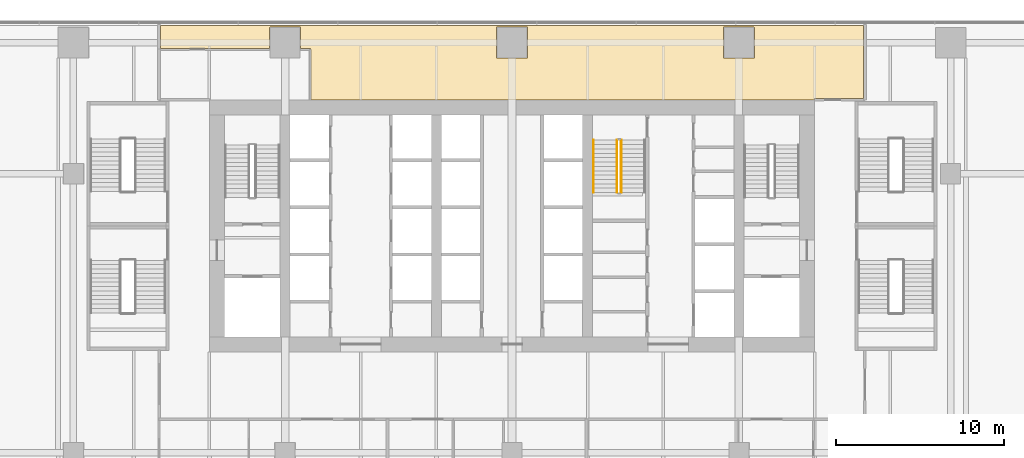
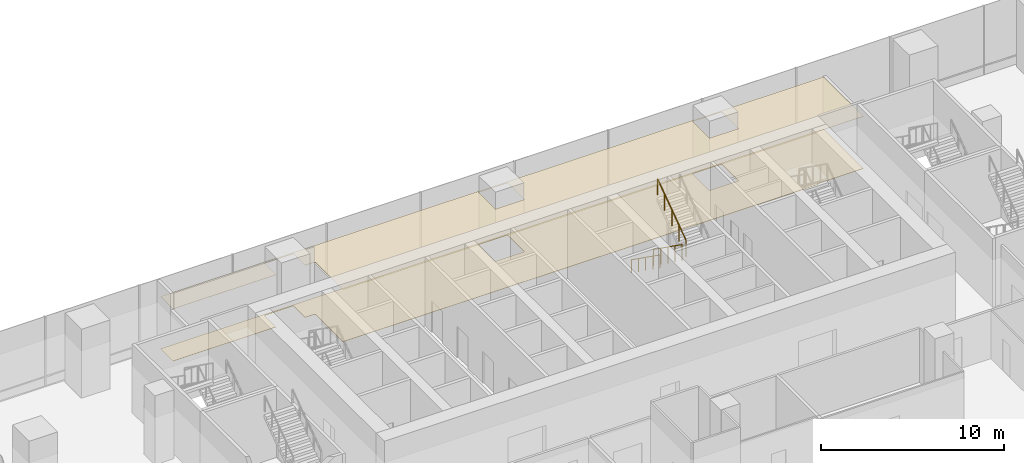
# One storey, part 27 of 28: 3 railings, 2 coverings.
"""IFC4 building model written with IfcOpenShell, lengths in metres."""

from ifc_helpers import new_model, si_unit, direction, frame, origin, origin_2d, place, context, subcontext, project, spatial, polyline, rectangle, outline, extrude, material, layer, layer_set, type_object, element, save


model = new_model("IFC4")

# Units and contexts
model_context = context("Model", 3, precision=1e-05, world=origin(), true_north=direction((0.0, 1.0)))
body_context = subcontext(model_context, "Body", "Model", "MODEL_VIEW")
ifc_project = project(units=[si_unit("LENGTHUNIT", "METRE"), si_unit("AREAUNIT", "SQUARE_METRE"), si_unit("VOLUMEUNIT", "CUBIC_METRE"), si_unit("PLANEANGLEUNIT", "RADIAN"), si_unit("MASSUNIT", "GRAM", prefix="KILO")], contexts=[model_context])

# Site, building, storey
site_placement = place(None, origin())
site = spatial("IfcSite", under=ifc_project, at=site_placement, CompositionType="ELEMENT")
building_placement = place(site_placement, origin())
building = spatial("IfcBuilding", under=site, at=building_placement, Name="Rattan Terrace Tower", CompositionType="ELEMENT")
storey_placement = place(building_placement, frame((0.0, 0.0, 22.199951171875)))
storey = spatial("IfcBuildingStorey", under=building, at=storey_placement, Name="L04", CompositionType="ELEMENT", Elevation=22.199951171875)

# Railings
ifc_material_1 = material(Name="Powder-coated steel guard", Category="steel")
railing_type_1 = type_object("IfcRailingType", Name="Core stair guard", PredefinedType="GUARDRAIL", material=ifc_material_1)
railing_1_placement = place(storey_placement, frame((6.25, 5.10009765625, 0.1845703125)))
element("IfcRailing", 1, at=railing_1_placement, inside=storey, type_object=railing_type_1, Name="L04 S3 stair guard 1", PredefinedType="GUARDRAIL", context=body_context, shape_type="SweptSolid", body=[
    extrude(rectangle(XDim=0.048095703125, YDim=0.048095703125, at=origin_2d()), frame((0.0, 0.0, 1.076171875), z_axis=(0.0, -0.815346844174, 0.578972817752), x_axis=(1.0, 0.0, 0.0)), (0.0, 0.0, 1.0), 3.82666015625),
    extrude(rectangle(XDim=0.0419921875, YDim=0.0419921875, at=origin_2d()), origin(), (0.0, 0.0, 1.0), 1.052001953125),
    extrude(rectangle(XDim=0.0419921875, YDim=0.0419921875, at=origin_2d()), frame((0.0, -0.780029296875, 0.553955078125)), (0.0, 0.0, 1.0), 1.052001953125),
    extrude(rectangle(XDim=0.0419921875, YDim=0.0419921875, at=origin_2d()), frame((0.0, -1.56005859375, 1.10791015625)), (0.0, 0.0, 1.0), 1.052001953125),
    extrude(rectangle(XDim=0.0419921875, YDim=0.0419921875, at=origin_2d()), frame((0.0, -2.340087890625, 1.66162109375)), (0.0, 0.0, 1.0), 1.052001953125),
    extrude(rectangle(XDim=0.0419921875, YDim=0.0419921875, at=origin_2d()), frame((0.0, -3.1201171875, 2.215576171875)), (0.0, 0.0, 1.0), 1.052001953125),
])
railing_2_placement = place(storey_placement, frame((6.5, 1.97998046875, 2.584716796875)))
element("IfcRailing", 2, at=railing_2_placement, inside=storey, type_object=railing_type_1, Name="L04 S3 stair guard 3", PredefinedType="GUARDRAIL", context=body_context, shape_type="SweptSolid", body=[
    extrude(rectangle(XDim=0.048095703125, YDim=0.048095703125, at=origin_2d()), frame((0.0, 0.0, 1.076171875), z_axis=(0.0, 0.815376961211, 0.578930402662), x_axis=(-1.0, 0.0, 0.0)), (0.0, 0.0, 1.0), 3.82666015625),
    extrude(rectangle(XDim=0.0419921875, YDim=0.0419921875, at=origin_2d()), origin(), (0.0, 0.0, 1.0), 1.052001953125),
    extrude(rectangle(XDim=0.0419921875, YDim=0.0419921875, at=origin_2d()), frame((0.0, 0.780029296875, 0.5537109375)), (0.0, 0.0, 1.0), 1.052001953125),
    extrude(rectangle(XDim=0.0419921875, YDim=0.0419921875, at=origin_2d()), frame((0.0, 1.56005859375, 1.107666015625)), (0.0, 0.0, 1.0), 1.052001953125),
    extrude(rectangle(XDim=0.0419921875, YDim=0.0419921875, at=origin_2d()), frame((0.0, 2.340087890625, 1.66162109375)), (0.0, 0.0, 1.0), 1.052001953125),
    extrude(rectangle(XDim=0.0419921875, YDim=0.0419921875, at=origin_2d()), frame((0.0, 3.1201171875, 2.21533203125)), (0.0, 0.0, 1.0), 1.052001953125),
])
ifc_material_2 = material(Name="Powder-coated steel handrail", Category="steel")
railing_type_2 = type_object("IfcRailingType", Name="Core stair handrail", PredefinedType="HANDRAIL", material=ifc_material_2)
railing_3_placement = place(storey_placement, frame((4.85009765625, 5.10009765625, 0.1845703125)))
element("IfcRailing", 3, at=railing_3_placement, inside=storey, type_object=railing_type_2, Name="L04 S3 stair handrail 1", PredefinedType="HANDRAIL", context=body_context, shape_type="SweptSolid", body=[
    extrude(rectangle(XDim=0.048095703125, YDim=0.048095703125, at=origin_2d()), frame((0.0, 0.0, 0.8759765625), z_axis=(0.0, -0.815346844174, 0.578972817752), x_axis=(1.0, 0.0, 0.0)), (0.0, 0.0, 1.0), 3.82666015625),
    extrude(rectangle(XDim=0.0419921875, YDim=0.0419921875, at=origin_2d()), origin(), (0.0, 0.0, 1.0), 0.851806640625),
    extrude(rectangle(XDim=0.0419921875, YDim=0.0419921875, at=origin_2d()), frame((0.0, -0.780029296875, 0.553955078125)), (0.0, 0.0, 1.0), 0.851806640625),
    extrude(rectangle(XDim=0.0419921875, YDim=0.0419921875, at=origin_2d()), frame((0.0, -1.56005859375, 1.10791015625)), (0.0, 0.0, 1.0), 0.851806640625),
    extrude(rectangle(XDim=0.0419921875, YDim=0.0419921875, at=origin_2d()), frame((0.0, -2.340087890625, 1.66162109375)), (0.0, 0.0, 1.0), 0.851806640625),
    extrude(rectangle(XDim=0.0419921875, YDim=0.0419921875, at=origin_2d()), frame((0.0, -3.1201171875, 2.215576171875)), (0.0, 0.0, 1.0), 0.851806640625),
])

# Coverings
ifc_material_3 = material(Name="Polished limestone", Category="masonry")
ifc_layer_1 = layer(ifc_material_3, 0.02001953125)
ifc_layer_set_1 = layer_set([ifc_layer_1], Name="Lobby Floor Finish Stone 20")
covering_type_1 = type_object("IfcCoveringType", Name="Lobby Floor Finish Stone 20", PredefinedType="FLOORING", material=ifc_layer_set_1)
covering_1_placement = place(storey_placement, origin())
element("IfcCovering", 4, at=covering_1_placement, inside=storey, type_object=covering_type_1, Name="Floor finish L04-127", PredefinedType="FLOORING", context=body_context, shape_type="SweptSolid", body=[
    extrude(outline(polyline([(20.909912109375, 7.574951171875), (20.909912109375, 11.909912109375), (-20.909912109375, 11.909912109375), (-20.909912109375, 10.550048828125), (-14.419921875, 10.550048828125), (-14.419921875, 11.800048828125), (-14.419921875, 11.802001953125), (-14.419921875, 11.803955078125), (-14.4189453125, 11.805908203125), (-14.4189453125, 11.80810546875), (-14.41796875, 11.81005859375), (-14.4169921875, 11.81103515625), (-14.416015625, 11.81298828125), (-14.4140625, 11.81396484375), (-14.4130859375, 11.81591796875), (-14.410888671875, 11.81689453125), (-14.409912109375, 11.818115234375), (-14.407958984375, 11.819091796875), (-14.406005859375, 11.819091796875), (-14.404052734375, 11.820068359375), (-14.402099609375, 11.820068359375), (-14.39990234375, 11.820068359375), (-12.60009765625, 11.820068359375), (-12.597900390625, 11.820068359375), (-12.595947265625, 11.820068359375), (-12.593994140625, 11.819091796875), (-12.592041015625, 11.819091796875), (-12.590087890625, 11.818115234375), (-12.589111328125, 11.81689453125), (-12.5869140625, 11.81591796875), (-12.5859375, 11.81396484375), (-12.583984375, 11.81298828125), (-12.5830078125, 11.81103515625), (-12.58203125, 11.81005859375), (-12.5810546875, 11.80810546875), (-12.5810546875, 11.805908203125), (-12.580078125, 11.803955078125), (-12.580078125, 11.802001953125), (-12.580078125, 11.800048828125), (-12.580078125, 10.550048828125), (-12.0, 10.550048828125), (-12.0, 10.5), (-11.949951171875, 10.5), (-11.949951171875, 7.5), (18.0, 7.5), (18.0, 7.574951171875), (20.909912109375, 7.574951171875)]), holes=[polyline([(12.5869140625, 9.98388671875), (12.589111328125, 9.98291015625), (12.590087890625, 9.98193359375), (12.592041015625, 9.98095703125), (12.593994140625, 9.98095703125), (12.595947265625, 9.97998046875), (12.597900390625, 9.97998046875), (12.60009765625, 9.97998046875), (14.39990234375, 9.97998046875), (14.402099609375, 9.97998046875), (14.404052734375, 9.97998046875), (14.406005859375, 9.98095703125), (14.407958984375, 9.98095703125), (14.409912109375, 9.98193359375), (14.410888671875, 9.98291015625), (14.4130859375, 9.98388671875), (14.4140625, 9.986083984375), (14.416015625, 9.987060546875), (14.4169921875, 9.989013671875), (14.41796875, 9.989990234375), (14.4189453125, 9.991943359375), (14.4189453125, 9.993896484375), (14.419921875, 9.99609375), (14.419921875, 9.998046875), (14.419921875, 10.0), (14.419921875, 11.800048828125), (14.419921875, 11.802001953125), (14.419921875, 11.803955078125), (14.4189453125, 11.805908203125), (14.4189453125, 11.80810546875), (14.41796875, 11.81005859375), (14.4169921875, 11.81103515625), (14.416015625, 11.81298828125), (14.4140625, 11.81396484375), (14.4130859375, 11.81591796875), (14.410888671875, 11.81689453125), (14.409912109375, 11.818115234375), (14.407958984375, 11.819091796875), (14.406005859375, 11.819091796875), (14.404052734375, 11.820068359375), (14.402099609375, 11.820068359375), (14.39990234375, 11.820068359375), (12.60009765625, 11.820068359375), (12.597900390625, 11.820068359375), (12.595947265625, 11.820068359375), (12.593994140625, 11.819091796875), (12.592041015625, 11.819091796875), (12.590087890625, 11.818115234375), (12.589111328125, 11.81689453125), (12.5869140625, 11.81591796875), (12.5859375, 11.81396484375), (12.583984375, 11.81298828125), (12.5830078125, 11.81103515625), (12.58203125, 11.81005859375), (12.5810546875, 11.80810546875), (12.5810546875, 11.805908203125), (12.580078125, 11.803955078125), (12.580078125, 11.802001953125), (12.580078125, 11.800048828125), (12.580078125, 10.0), (12.580078125, 9.998046875), (12.580078125, 9.99609375), (12.5810546875, 9.993896484375), (12.5810546875, 9.991943359375), (12.58203125, 9.989990234375), (12.5830078125, 9.989013671875), (12.583984375, 9.987060546875), (12.5859375, 9.986083984375), (12.5869140625, 9.98388671875)]), polyline([(-0.919921875, 9.99609375), (-0.9189453125, 9.993896484375), (-0.9189453125, 9.991943359375), (-0.91796875, 9.989990234375), (-0.9169921875, 9.989013671875), (-0.916015625, 9.987060546875), (-0.9140625, 9.986083984375), (-0.9130859375, 9.98388671875), (-0.910888671875, 9.98291015625), (-0.909912109375, 9.98193359375), (-0.907958984375, 9.98095703125), (-0.906005859375, 9.98095703125), (-0.904052734375, 9.97998046875), (-0.902099609375, 9.97998046875), (-0.89990234375, 9.97998046875), (0.89990234375, 9.97998046875), (0.902099609375, 9.97998046875), (0.904052734375, 9.97998046875), (0.906005859375, 9.98095703125), (0.907958984375, 9.98095703125), (0.909912109375, 9.98193359375), (0.910888671875, 9.98291015625), (0.9130859375, 9.98388671875), (0.9140625, 9.986083984375), (0.916015625, 9.987060546875), (0.9169921875, 9.989013671875), (0.91796875, 9.989990234375), (0.9189453125, 9.991943359375), (0.9189453125, 9.993896484375), (0.919921875, 9.99609375), (0.919921875, 9.998046875), (0.919921875, 10.0), (0.919921875, 11.800048828125), (0.919921875, 11.802001953125), (0.919921875, 11.803955078125), (0.9189453125, 11.805908203125), (0.9189453125, 11.80810546875), (0.91796875, 11.81005859375), (0.9169921875, 11.81103515625), (0.916015625, 11.81298828125), (0.9140625, 11.81396484375), (0.9130859375, 11.81591796875), (0.910888671875, 11.81689453125), (0.909912109375, 11.818115234375), (0.907958984375, 11.819091796875), (0.906005859375, 11.819091796875), (0.904052734375, 11.820068359375), (0.902099609375, 11.820068359375), (0.89990234375, 11.820068359375), (-0.89990234375, 11.820068359375), (-0.902099609375, 11.820068359375), (-0.904052734375, 11.820068359375), (-0.906005859375, 11.819091796875), (-0.907958984375, 11.819091796875), (-0.909912109375, 11.818115234375), (-0.910888671875, 11.81689453125), (-0.9130859375, 11.81591796875), (-0.9140625, 11.81396484375), (-0.916015625, 11.81298828125), (-0.9169921875, 11.81103515625), (-0.91796875, 11.81005859375), (-0.9189453125, 11.80810546875), (-0.9189453125, 11.805908203125), (-0.919921875, 11.803955078125), (-0.919921875, 11.802001953125), (-0.919921875, 11.800048828125), (-0.919921875, 10.0), (-0.919921875, 9.998046875), (-0.919921875, 9.99609375)])]), origin(), (0.0, 0.0, 1.0), 0.02001953125),
])
ifc_material_4 = material(Name="Gypsum board, painted")
ifc_layer_2 = layer(ifc_material_4, 0.02490234375)
ifc_layer_set_2 = layer_set([ifc_layer_2], Name="Suspended Ceiling Gypsum 25")
covering_type_2 = type_object("IfcCoveringType", Name="Suspended Ceiling Gypsum 25", PredefinedType="CEILING", material=ifc_layer_set_2)
covering_2_placement = place(storey_placement, frame((0.0, 0.0, 3.47509765625)))
element("IfcCovering", 5, at=covering_2_placement, inside=storey, type_object=covering_type_2, Name="Ceiling L04-127", PredefinedType="CEILING", context=body_context, shape_type="SweptSolid", body=[
    extrude(outline(polyline([(20.909912109375, 7.574951171875), (20.909912109375, 11.909912109375), (-20.909912109375, 11.909912109375), (-20.909912109375, 10.550048828125), (-14.419921875, 10.550048828125), (-14.419921875, 11.800048828125), (-14.419921875, 11.802001953125), (-14.419921875, 11.803955078125), (-14.4189453125, 11.805908203125), (-14.4189453125, 11.80810546875), (-14.41796875, 11.81005859375), (-14.4169921875, 11.81103515625), (-14.416015625, 11.81298828125), (-14.4140625, 11.81396484375), (-14.4130859375, 11.81591796875), (-14.410888671875, 11.81689453125), (-14.409912109375, 11.818115234375), (-14.407958984375, 11.819091796875), (-14.406005859375, 11.819091796875), (-14.404052734375, 11.820068359375), (-14.402099609375, 11.820068359375), (-14.39990234375, 11.820068359375), (-12.60009765625, 11.820068359375), (-12.597900390625, 11.820068359375), (-12.595947265625, 11.820068359375), (-12.593994140625, 11.819091796875), (-12.592041015625, 11.819091796875), (-12.590087890625, 11.818115234375), (-12.589111328125, 11.81689453125), (-12.5869140625, 11.81591796875), (-12.5859375, 11.81396484375), (-12.583984375, 11.81298828125), (-12.5830078125, 11.81103515625), (-12.58203125, 11.81005859375), (-12.5810546875, 11.80810546875), (-12.5810546875, 11.805908203125), (-12.580078125, 11.803955078125), (-12.580078125, 11.802001953125), (-12.580078125, 11.800048828125), (-12.580078125, 10.550048828125), (-12.0, 10.550048828125), (-12.0, 10.5), (-11.949951171875, 10.5), (-11.949951171875, 7.5), (18.0, 7.5), (18.0, 7.574951171875), (20.909912109375, 7.574951171875)]), holes=[polyline([(12.5869140625, 9.98388671875), (12.589111328125, 9.98291015625), (12.590087890625, 9.98193359375), (12.592041015625, 9.98095703125), (12.593994140625, 9.98095703125), (12.595947265625, 9.97998046875), (12.597900390625, 9.97998046875), (12.60009765625, 9.97998046875), (14.39990234375, 9.97998046875), (14.402099609375, 9.97998046875), (14.404052734375, 9.97998046875), (14.406005859375, 9.98095703125), (14.407958984375, 9.98095703125), (14.409912109375, 9.98193359375), (14.410888671875, 9.98291015625), (14.4130859375, 9.98388671875), (14.4140625, 9.986083984375), (14.416015625, 9.987060546875), (14.4169921875, 9.989013671875), (14.41796875, 9.989990234375), (14.4189453125, 9.991943359375), (14.4189453125, 9.993896484375), (14.419921875, 9.99609375), (14.419921875, 9.998046875), (14.419921875, 10.0), (14.419921875, 11.800048828125), (14.419921875, 11.802001953125), (14.419921875, 11.803955078125), (14.4189453125, 11.805908203125), (14.4189453125, 11.80810546875), (14.41796875, 11.81005859375), (14.4169921875, 11.81103515625), (14.416015625, 11.81298828125), (14.4140625, 11.81396484375), (14.4130859375, 11.81591796875), (14.410888671875, 11.81689453125), (14.409912109375, 11.818115234375), (14.407958984375, 11.819091796875), (14.406005859375, 11.819091796875), (14.404052734375, 11.820068359375), (14.402099609375, 11.820068359375), (14.39990234375, 11.820068359375), (12.60009765625, 11.820068359375), (12.597900390625, 11.820068359375), (12.595947265625, 11.820068359375), (12.593994140625, 11.819091796875), (12.592041015625, 11.819091796875), (12.590087890625, 11.818115234375), (12.589111328125, 11.81689453125), (12.5869140625, 11.81591796875), (12.5859375, 11.81396484375), (12.583984375, 11.81298828125), (12.5830078125, 11.81103515625), (12.58203125, 11.81005859375), (12.5810546875, 11.80810546875), (12.5810546875, 11.805908203125), (12.580078125, 11.803955078125), (12.580078125, 11.802001953125), (12.580078125, 11.800048828125), (12.580078125, 10.0), (12.580078125, 9.998046875), (12.580078125, 9.99609375), (12.5810546875, 9.993896484375), (12.5810546875, 9.991943359375), (12.58203125, 9.989990234375), (12.5830078125, 9.989013671875), (12.583984375, 9.987060546875), (12.5859375, 9.986083984375), (12.5869140625, 9.98388671875)]), polyline([(-0.919921875, 9.99609375), (-0.9189453125, 9.993896484375), (-0.9189453125, 9.991943359375), (-0.91796875, 9.989990234375), (-0.9169921875, 9.989013671875), (-0.916015625, 9.987060546875), (-0.9140625, 9.986083984375), (-0.9130859375, 9.98388671875), (-0.910888671875, 9.98291015625), (-0.909912109375, 9.98193359375), (-0.907958984375, 9.98095703125), (-0.906005859375, 9.98095703125), (-0.904052734375, 9.97998046875), (-0.902099609375, 9.97998046875), (-0.89990234375, 9.97998046875), (0.89990234375, 9.97998046875), (0.902099609375, 9.97998046875), (0.904052734375, 9.97998046875), (0.906005859375, 9.98095703125), (0.907958984375, 9.98095703125), (0.909912109375, 9.98193359375), (0.910888671875, 9.98291015625), (0.9130859375, 9.98388671875), (0.9140625, 9.986083984375), (0.916015625, 9.987060546875), (0.9169921875, 9.989013671875), (0.91796875, 9.989990234375), (0.9189453125, 9.991943359375), (0.9189453125, 9.993896484375), (0.919921875, 9.99609375), (0.919921875, 9.998046875), (0.919921875, 10.0), (0.919921875, 11.800048828125), (0.919921875, 11.802001953125), (0.919921875, 11.803955078125), (0.9189453125, 11.805908203125), (0.9189453125, 11.80810546875), (0.91796875, 11.81005859375), (0.9169921875, 11.81103515625), (0.916015625, 11.81298828125), (0.9140625, 11.81396484375), (0.9130859375, 11.81591796875), (0.910888671875, 11.81689453125), (0.909912109375, 11.818115234375), (0.907958984375, 11.819091796875), (0.906005859375, 11.819091796875), (0.904052734375, 11.820068359375), (0.902099609375, 11.820068359375), (0.89990234375, 11.820068359375), (-0.89990234375, 11.820068359375), (-0.902099609375, 11.820068359375), (-0.904052734375, 11.820068359375), (-0.906005859375, 11.819091796875), (-0.907958984375, 11.819091796875), (-0.909912109375, 11.818115234375), (-0.910888671875, 11.81689453125), (-0.9130859375, 11.81591796875), (-0.9140625, 11.81396484375), (-0.916015625, 11.81298828125), (-0.9169921875, 11.81103515625), (-0.91796875, 11.81005859375), (-0.9189453125, 11.80810546875), (-0.9189453125, 11.805908203125), (-0.919921875, 11.803955078125), (-0.919921875, 11.802001953125), (-0.919921875, 11.800048828125), (-0.919921875, 10.0), (-0.919921875, 9.998046875), (-0.919921875, 9.99609375)])]), origin(), (0.0, 0.0, 1.0), 0.02490234375),
])

save(model, "model.ifc")
